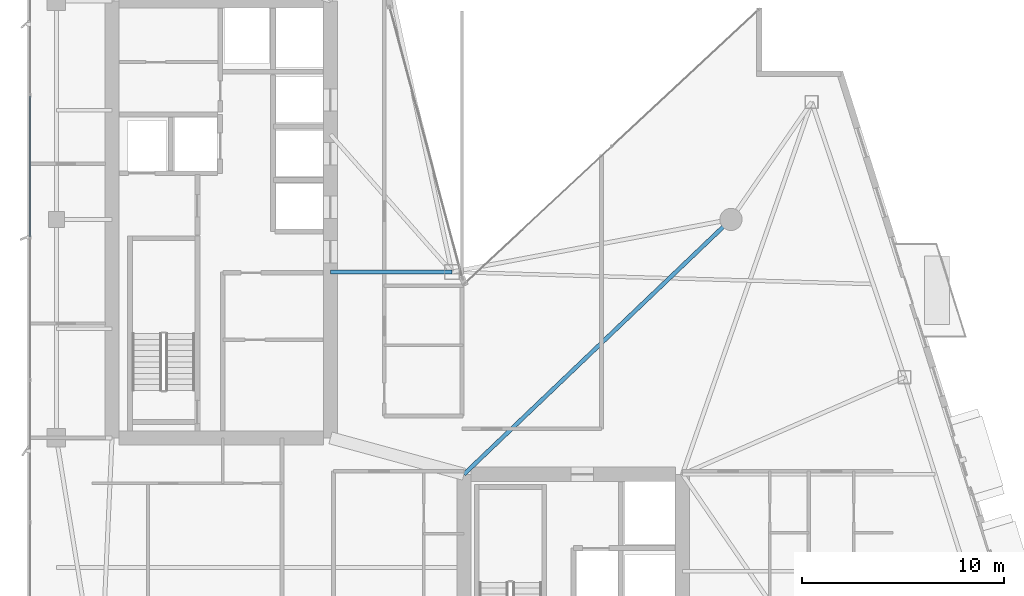
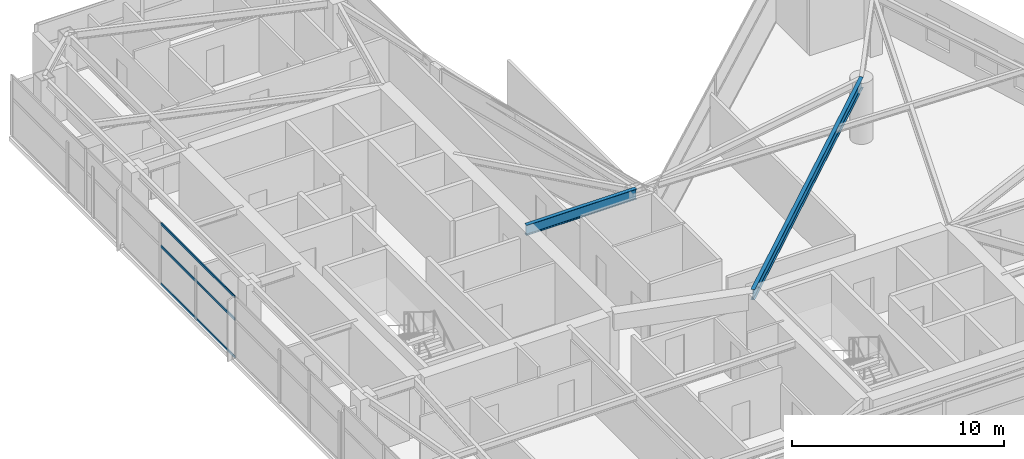
# One storey, part 9 of 27: 3 members, 2 beams, 1 element without a shape of its own.
"""IFC4 building model written with IfcOpenShell, lengths in metres."""

from ifc_helpers import new_model, si_unit, direction, frame, origin, origin_2d, place, context, subcontext, project, spatial, hollow_rectangle, i_section, extrude, material, layer, layer_set, material_profile, profile_set, type_object, element, aggregate, save


model = new_model("IFC4")

# Units and contexts
model_context = context("Model", 3, precision=1e-05, world=origin(), true_north=direction((0.0, 1.0)))
body_context = subcontext(model_context, "Body", "Model", "MODEL_VIEW")
ifc_project = project(units=[si_unit("LENGTHUNIT", "METRE"), si_unit("AREAUNIT", "SQUARE_METRE"), si_unit("VOLUMEUNIT", "CUBIC_METRE"), si_unit("PLANEANGLEUNIT", "RADIAN"), si_unit("MASSUNIT", "GRAM", prefix="KILO")], contexts=[model_context])

# Site, building, storey
site_placement = place(None, origin())
site = spatial("IfcSite", under=ifc_project, at=site_placement, CompositionType="ELEMENT")
building_placement = place(site_placement, origin())
building = spatial("IfcBuilding", under=site, at=building_placement, Name="Calvorn Quay Hotel", CompositionType="ELEMENT")
storey_placement = place(building_placement, frame((0.0, 0.0, 230.699951171875)))
storey = spatial("IfcBuildingStorey", under=building, at=storey_placement, Name="L57", CompositionType="ELEMENT", Elevation=230.699951171875)

# Beams
ifc_material_1 = material(Name="Steel Q355B", Category="steel")
ifc_material_profile_1 = material_profile(ifc_material_1, i_section(OverallWidth=0.199951171875, OverallDepth=0.60009765625, WebThickness=0.010986328125, FlangeThickness=0.01708984375, FilletRadius=0.01806640625, at=origin_2d()), Name="HN600x200x11x17")
ifc_profile_set_1 = profile_set([ifc_material_profile_1], Name="Steel Q355B")
beam_type = type_object("IfcBeamType", Name="BM-GIRD-TYP", PredefinedType="BEAM", material=ifc_profile_set_1)
beam_1_placement = place(storey_placement, frame((21.0, 25.0, 3.219970703125), z_axis=(-1.0, 0.0, 0.0), x_axis=(0.0, -1.0, 0.0)))
element("IfcBeam", 1, at=beam_1_placement, inside=storey, type_object=beam_type, Name="Beam BG-L57-W7", PredefinedType="BEAM", context=body_context, shape_type="SweptSolid", body=[
    extrude(i_section(OverallWidth=0.199951171875, OverallDepth=0.60009765625, WebThickness=0.010986328125, FlangeThickness=0.01708984375, FilletRadius=0.01806640625, at=origin_2d()), origin(), (0.0, 0.0, 1.0), 6.0),
])
beam_2_placement = place(storey_placement, frame((21.60009765625, 15.0, 3.219970703125), z_axis=(0.723351595578, 0.690479883252, 0.0), x_axis=(-0.690479883252, 0.723351595578, 0.0)))
element("IfcBeam", 2, at=beam_2_placement, inside=storey, type_object=beam_type, Name="Beam BG-L57-E4", PredefinedType="BEAM", context=body_context, shape_type="SweptSolid", body=[
    extrude(i_section(OverallWidth=0.199951171875, OverallDepth=0.60009765625, WebThickness=0.010986328125, FlangeThickness=0.01708984375, FilletRadius=0.01806640625, at=origin_2d()), origin(), (0.0, 0.0, 1.0), 18.248291015625),
])

# Curtain wall, members
ifc_material_2 = material(Name="Champagne Bronze Anodised Aluminium and Low-E Glass", Category="aluminium")
ifc_layer = layer(ifc_material_2, 0.219970703125)
ifc_layer_set = layer_set([ifc_layer], Name="CW-SYS-Z3")
curtain_wall_type = type_object("IfcCurtainWallType", Name="CW-SYS-Z3", PredefinedType="NOTDEFINED", material=ifc_layer_set)
curtain_wall_placement = place(storey_placement, origin())
curtain_wall = element("IfcCurtainWall", 3, at=curtain_wall_placement, inside=storey, type_object=curtain_wall_type, Name="Tower West Curtain Wall (L57)", PredefinedType="NOTDEFINED")
ifc_material_3 = material(Name="Champagne Bronze Anodised Aluminium 6063-T6", Category="aluminium")
ifc_material_profile_2 = material_profile(ifc_material_3, hollow_rectangle(XDim=0.05810546875, YDim=0.139892578125, WallThickness=0.003173828125, at=origin_2d()), Name="ALU-T140x58x3.2")
ifc_profile_set_2 = profile_set([ifc_material_profile_2], Name="Champagne Bronze Anodised Aluminium 6063-T6")
member_type = type_object("IfcMemberType", Name="CW-SYS-Z3-TRN", PredefinedType="USERDEFINED", material=ifc_profile_set_2)
member_1_placement = place(storey_placement, frame((0.14990234375, 26.72998046875, 0.030029296875), z_axis=(0.0, 1.0, 0.0), x_axis=(-1.0, 0.0, 0.0)))
member_1 = element("IfcMember", 4, at=member_1_placement, type_object=member_type, Name="CW-L57-W transom 4.1", ObjectType="TRANSOM", PredefinedType="USERDEFINED", context=body_context, shape_type="SweptSolid", body=[
    extrude(hollow_rectangle(XDim=0.05810546875, YDim=0.139892578125, WallThickness=0.003173828125, at=origin_2d()), origin(), (0.0, 0.0, 1.0), 6.973388671875),
])
member_2_placement = place(storey_placement, frame((0.14990234375, 26.72998046875, 2.199951171875), z_axis=(0.0, 1.0, 0.0), x_axis=(-1.0, 0.0, 0.0)))
member_2 = element("IfcMember", 5, at=member_2_placement, type_object=member_type, Name="CW-L57-W transom 4.2", ObjectType="TRANSOM", PredefinedType="USERDEFINED", context=body_context, shape_type="SweptSolid", body=[
    extrude(hollow_rectangle(XDim=0.05810546875, YDim=0.139892578125, WallThickness=0.003173828125, at=origin_2d()), origin(), (0.0, 0.0, 1.0), 6.973388671875),
])
member_3_placement = place(storey_placement, frame((0.14990234375, 26.72998046875, 3.489990234375), z_axis=(0.0, 1.0, 0.0), x_axis=(-1.0, 0.0, 0.0)))
member_3 = element("IfcMember", 6, at=member_3_placement, type_object=member_type, Name="CW-L57-W transom 4.3", ObjectType="TRANSOM", PredefinedType="USERDEFINED", context=body_context, shape_type="SweptSolid", body=[
    extrude(hollow_rectangle(XDim=0.05810546875, YDim=0.139892578125, WallThickness=0.003173828125, at=origin_2d()), origin(), (0.0, 0.0, 1.0), 6.973388671875),
])
aggregate(curtain_wall, [member_1, member_2, member_3])

save(model, "model.ifc")
